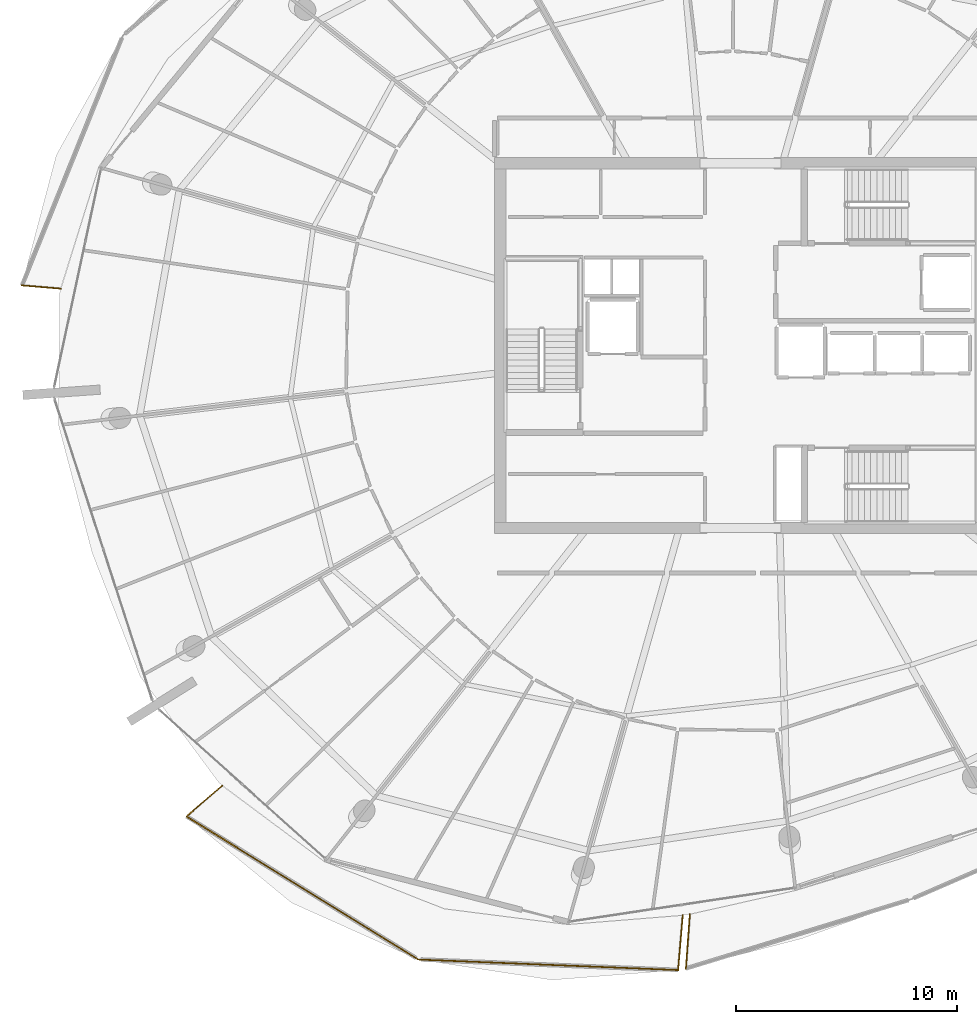
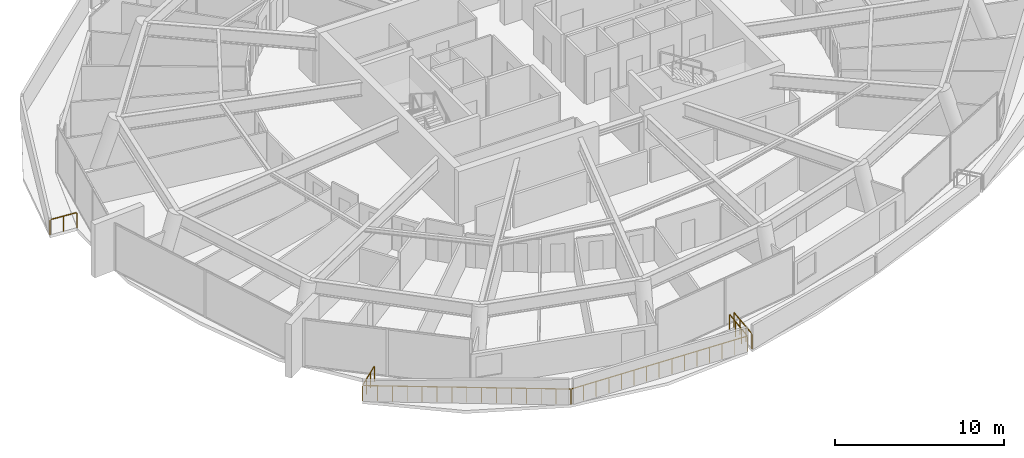
# One storey, part 24 of 30: 6 railings.
"""IFC4 building model written with IfcOpenShell, lengths in metres."""

import ifcopenshell
import ifcopenshell.guid

model = None  # the IFC model being written
_history = None  # IfcOwnerHistory: only IFC2X3 demands one
_inside = {}  # id of a spatial element -> (the spatial element, [elements in it])
_under = {}  # id of a project, library or spatial element -> (it, [spatial elements below it])
_declared = {}  # id of a project -> (the project, [libraries it declares])
_typed = {}  # id of a type object -> (the type object, [elements of that type])
_made_of = {}  # id of a material, layer set ... -> (it, [elements and type objects made of it])


def new_model(schema):
    """Start an empty IFC model of exactly this schema.

    Asked for "IFC4X3", IfcOpenShell would pick the latest addendum, in which some entities
    have other attributes; the version numbers below select the first issue.
    IFC2X3 requires an IfcOwnerHistory on every rooted entity: one is made here for all.
    """
    global model, _history
    if schema == "IFC4X3":
        model = ifcopenshell.file(schema_version=(4, 3, 0, 0))
    else:
        model = ifcopenshell.file(schema=schema)
    _inside.clear()
    _under.clear()
    _declared.clear()
    _typed.clear()
    _made_of.clear()
    _history = None
    if model.schema == "IFC2X3":
        org = make("IfcOrganization", Name="unknown")
        user = make(
            "IfcPersonAndOrganization",
            ThePerson=make("IfcPerson", FamilyName="unknown"),
            TheOrganization=org,
        )
        app = make(
            "IfcApplication",
            ApplicationDeveloper=org,
            Version="unknown",
            ApplicationFullName="unknown",
            ApplicationIdentifier="unknown",
        )
        _history = make(
            "IfcOwnerHistory",
            OwningUser=user,
            OwningApplication=app,
            ChangeAction="ADDED",
            CreationDate=0,
        )
    return model


def make(cls, **values):
    """One entity of the class cls with the attributes given. An attribute that is None is left unset."""
    return model.create_entity(
        cls, **{name: value for name, value in values.items() if value is not None}
    )


def rooted(cls, **values):
    """An entity with a GlobalId (a new one), such as an element, a storey or a relation."""
    return make(cls, GlobalId=ifcopenshell.guid.new(), OwnerHistory=_history, **values)


def si_unit(unit_type, name, prefix=None):
    """IfcSIUnit, for example si_unit("LENGTHUNIT", "METRE", prefix="MILLI")."""
    return make("IfcSIUnit", UnitType=unit_type, Prefix=prefix, Name=name)


def assignment(units):
    """IfcUnitAssignment: the units of a project."""
    return None if units is None else make("IfcUnitAssignment", Units=units)


def point(xyz):
    """IfcCartesianPoint."""
    return None if xyz is None else make("IfcCartesianPoint", Coordinates=xyz)


def direction(xyz):
    """IfcDirection."""
    return None if xyz is None else make("IfcDirection", DirectionRatios=xyz)


def frame(location, z_axis=None, x_axis=None):
    """IfcAxis2Placement3D, a coordinate frame: its origin and axes. An axis left out is left unset."""
    return make(
        "IfcAxis2Placement3D",
        Location=point(location),
        Axis=direction(z_axis),
        RefDirection=direction(x_axis),
    )


def frame_2d(location, x_axis=None):
    """IfcAxis2Placement2D, a coordinate frame in the plane: its origin and x axis."""
    return make(
        "IfcAxis2Placement2D", Location=point(location), RefDirection=direction(x_axis)
    )


def origin():
    """The frame at (0, 0, 0) with its axes left unset."""
    return frame((0.0, 0.0, 0.0))


def origin_2d():
    """The frame at (0, 0) in the plane with its x axis left unset."""
    return frame_2d((0.0, 0.0))


def place(relative_to, where):
    """IfcLocalPlacement: puts the frame where relative to a parent placement (None: the world)."""
    return make(
        "IfcLocalPlacement", PlacementRelTo=relative_to, RelativePlacement=where
    )


def context(
    kind, dimensions, precision=None, world=None, true_north=None, identifier=None
):
    """IfcGeometricRepresentationContext, for example the 3D "Model" context."""
    return make(
        "IfcGeometricRepresentationContext",
        ContextIdentifier=identifier,
        ContextType=kind,
        CoordinateSpaceDimension=dimensions,
        Precision=precision,
        WorldCoordinateSystem=world,
        TrueNorth=true_north,
    )


def subcontext(parent, identifier, kind, view, scale=None):
    """IfcGeometricRepresentationSubContext, for example "Body" below "Model"."""
    return make(
        "IfcGeometricRepresentationSubContext",
        ContextIdentifier=identifier,
        ContextType=kind,
        ParentContext=parent,
        TargetScale=scale,
        TargetView=view,
    )


def project(units=None, contexts=None):
    """IfcProject with its units and contexts."""
    return rooted(
        "IfcProject",
        Name="project",
        RepresentationContexts=contexts,
        UnitsInContext=assignment(units),
    )


def spatial(cls, under=None, at=None, **own):
    """A site, building, storey or space (cls), placed at a placement, below another one or the project."""
    s = rooted(cls, ObjectPlacement=at, **own)
    if under is not None:
        _under.setdefault(under.id(), (under, []))[1].append(s)
    return s


def profile(cls, at=None, kind="AREA", **sizes):
    """A parametric profile (cls). Its sizes go by their IFC names, for example OverallWidth=200.0."""
    return make(cls, ProfileType=kind, Position=at, **sizes)


def rectangle(**sizes):
    """IfcRectangleProfileDef."""
    return profile("IfcRectangleProfileDef", **sizes)


def extrude(swept, where, along, depth):
    """IfcExtrudedAreaSolid: the profile swept, set in the frame where, extruded along a direction by depth."""
    return make(
        "IfcExtrudedAreaSolid",
        SweptArea=swept,
        Position=where,
        ExtrudedDirection=direction(along),
        Depth=depth,
    )


def shape(context_of_items, identifier, shape_type, items):
    """IfcShapeRepresentation: the items that make up one representation, for example the "Body"."""
    return make(
        "IfcShapeRepresentation",
        ContextOfItems=context_of_items,
        RepresentationIdentifier=identifier,
        RepresentationType=shape_type,
        Items=items,
    )


def material(Name=None, Category=None):
    """IfcMaterial."""
    return make("IfcMaterial", Name=Name, Category=Category)


def made_of(thing, what):
    """Note that an element or type object is made of a material, layer set ...; save() writes the relation."""
    if what is not None:
        _made_of.setdefault(what.id(), (what, []))[1].append(thing)
    return thing


def type_object(cls, material=None, **own):
    """A type object (cls), such as IfcWallType, which elements share."""
    return made_of(rooted(cls, **own), material)


def element(
    cls,
    number,
    at=None,
    inside=None,
    cuts=None,
    type_object=None,
    material=None,
    context=None,
    identifier="Body",
    shape_type=None,
    held_by="IfcProductDefinitionShape",
    body=None,
    shapes=None,
    **own,
):
    """One element of the class cls, such as IfcWall. Its Tag is "e" and its number.

    at: its placement. inside: the storey or other place that contains it. cuts: it is an
    opening in that element (IfcRelVoidsElement). A single representation is given by context,
    identifier, shape_type and body (its items); several are given by shapes. held_by: the class
    of the entity that holds the representations. save() writes the other relations.
    """
    e = rooted(cls, Tag="e%d" % number, ObjectPlacement=at, **own)
    if body is not None:
        shapes = [shape(context, identifier, shape_type, body)]
    if shapes is not None:
        e.Representation = make(held_by, Representations=shapes)
    if inside is not None:
        _inside.setdefault(inside.id(), (inside, []))[1].append(e)
    if cuts is not None:
        rooted(
            "IfcRelVoidsElement", RelatingBuildingElement=cuts, RelatedOpeningElement=e
        )
    if type_object is not None:
        _typed.setdefault(type_object.id(), (type_object, []))[1].append(e)
    return made_of(e, material)


def aggregate(whole, parts):
    """IfcRelAggregates: a whole, such as a stair, and the parts it consists of."""
    return rooted("IfcRelAggregates", RelatingObject=whole, RelatedObjects=parts)


def save(model, path):
    """Write the relations noted so far, then the file.

    IfcRelAggregates (storeys below a building ...), IfcRelContainedInSpatialStructure (elements
    in a storey), IfcRelDefinesByType, IfcRelAssociatesMaterial and IfcRelDeclares: one each for
    every whole, place, type object, material and project.
    """
    for whole, parts in _under.values():
        aggregate(whole, parts)
    for where, things in _inside.values():
        rooted(
            "IfcRelContainedInSpatialStructure",
            RelatedElements=things,
            RelatingStructure=where,
        )
    for kind, things in _typed.values():
        rooted("IfcRelDefinesByType", RelatedObjects=things, RelatingType=kind)
    for what, things in _made_of.values():
        rooted("IfcRelAssociatesMaterial", RelatedObjects=things, RelatingMaterial=what)
    for by, libraries in _declared.values():
        rooted("IfcRelDeclares", RelatingContext=by, RelatedDefinitions=libraries)
    model.write(path)


model = new_model("IFC4")

# Units and contexts
model_context = context("Model", 3, precision=1e-05, world=origin(), true_north=direction((0.0, 1.0)))
body_context = subcontext(model_context, "Body", "Model", "MODEL_VIEW")
ifc_project = project(units=[si_unit("LENGTHUNIT", "METRE"), si_unit("AREAUNIT", "SQUARE_METRE"), si_unit("VOLUMEUNIT", "CUBIC_METRE"), si_unit("PLANEANGLEUNIT", "RADIAN"), si_unit("MASSUNIT", "GRAM", prefix="KILO")], contexts=[model_context])

# Site, building, storey
site_placement = place(None, origin())
site = spatial("IfcSite", under=ifc_project, at=site_placement, CompositionType="ELEMENT")
building_placement = place(site_placement, origin())
building = spatial("IfcBuilding", under=site, at=building_placement, Name="Kazma Halo Residences", CompositionType="ELEMENT")
storey_placement = place(building_placement, frame((0.0, 0.0, 302.14990234375)))
storey = spatial("IfcBuildingStorey", under=building, at=storey_placement, Name="L76", CompositionType="ELEMENT", Elevation=302.14990234375)

# Railings
ifc_material = material(Name="Aluminium AW-6063 T6 Brushed Cap Rail", Category="aluminium")
railing_type = type_object("IfcRailingType", Name="RLG-BAL-CAP-1120", PredefinedType="BALUSTRADE", material=ifc_material)
railing_1_placement = place(storey_placement, frame((15.89599609375, 44.72412109375, 0.0)))
element("IfcRailing", 1, at=railing_1_placement, inside=storey, type_object=railing_type, Name="L76 NW wave balcony guard 4", PredefinedType="BALUSTRADE", context=body_context, shape_type="SweptSolid", body=[
    extrude(rectangle(XDim=0.050048828125, YDim=0.050048828125, at=origin_2d()), frame((0.04248046875, -0.003662109375, 1.09521484375), z_axis=(0.996414445327, -0.084606460419, 0.0), x_axis=(0.084606460419, 0.996414445327, 0.0)), (0.0, 0.0, 1.0), 1.675048828125),
    extrude(rectangle(XDim=0.0400390625, YDim=0.0400390625, at=origin_2d()), origin(), (0.0, 0.0, 1.0), 1.05810546875),
    extrude(rectangle(XDim=0.0400390625, YDim=0.0400390625, at=origin_2d()), frame((0.876953125, -0.074462890625, 0.0)), (0.0, 0.0, 1.0), 1.05810546875),
    extrude(rectangle(XDim=0.0400390625, YDim=0.0400390625, at=origin_2d()), frame((1.75390625, -0.14892578125, 0.0)), (0.0, 0.0, 1.0), 1.05810546875),
])
railing_2_placement = place(storey_placement, frame((24.9599609375, 22.0771484375, 0.0)))
element("IfcRailing", 2, at=railing_2_placement, inside=storey, type_object=railing_type, Name="L76 SW wave balcony guard 1", PredefinedType="BALUSTRADE", context=body_context, shape_type="SweptSolid", body=[
    extrude(rectangle(XDim=0.050048828125, YDim=0.050048828125, at=origin_2d()), frame((-0.0322265625, -0.02783203125, 1.09521484375), z_axis=(-0.756418334569, -0.654088146299, 0.0), x_axis=(0.654088146299, -0.756418334569, 0.0)), (0.0, 0.0, 1.0), 2.04541015625),
    extrude(rectangle(XDim=0.0400390625, YDim=0.0400390625, at=origin_2d()), origin(), (0.0, 0.0, 1.0), 1.05810546875),
    extrude(rectangle(XDim=0.0400390625, YDim=0.0400390625, at=origin_2d()), frame((-0.537109375, -0.464599609375, 0.0)), (0.0, 0.0, 1.0), 1.05810546875),
    extrude(rectangle(XDim=0.0400390625, YDim=0.0400390625, at=origin_2d()), frame((-1.074462890625, -0.928955078125, 0.0)), (0.0, 0.0, 1.0), 1.05810546875),
    extrude(rectangle(XDim=0.0400390625, YDim=0.0400390625, at=origin_2d()), frame((-1.611572265625, -1.3935546875, 0.0)), (0.0, 0.0, 1.0), 1.05810546875),
])
railing_3_placement = place(storey_placement, frame((23.348388671875, 20.68359375, 0.0)))
element("IfcRailing", 3, at=railing_3_placement, inside=storey, type_object=railing_type, Name="L76 SW wave balcony guard 2", PredefinedType="BALUSTRADE", context=body_context, shape_type="SweptSolid", body=[
    extrude(rectangle(XDim=0.050048828125, YDim=0.050048828125, at=origin_2d()), frame((0.0361328125, -0.0224609375, 1.09521484375), z_axis=(0.85090135907, -0.525325496367, 0.0), x_axis=(0.525325496367, 0.85090135907, 0.0)), (0.0, 0.0, 1.0), 12.24365234375),
    extrude(rectangle(XDim=0.0400390625, YDim=0.0400390625, at=origin_2d()), origin(), (0.0, 0.0, 1.0), 1.05810546875),
    extrude(rectangle(XDim=0.0400390625, YDim=0.0400390625, at=origin_2d()), frame((0.749267578125, -0.462646484375, 0.0)), (0.0, 0.0, 1.0), 1.05810546875),
    extrude(rectangle(XDim=0.0400390625, YDim=0.0400390625, at=origin_2d()), frame((1.49853515625, -0.92529296875, 0.0)), (0.0, 0.0, 1.0), 1.05810546875),
    extrude(rectangle(XDim=0.0400390625, YDim=0.0400390625, at=origin_2d()), frame((2.248046875, -1.387939453125, 0.0)), (0.0, 0.0, 1.0), 1.05810546875),
    extrude(rectangle(XDim=0.0400390625, YDim=0.0400390625, at=origin_2d()), frame((2.997314453125, -1.850341796875, 0.0)), (0.0, 0.0, 1.0), 1.05810546875),
    extrude(rectangle(XDim=0.0400390625, YDim=0.0400390625, at=origin_2d()), frame((3.74658203125, -2.31298828125, 0.0)), (0.0, 0.0, 1.0), 1.05810546875),
    extrude(rectangle(XDim=0.0400390625, YDim=0.0400390625, at=origin_2d()), frame((4.495849609375, -2.775634765625, 0.0)), (0.0, 0.0, 1.0), 1.05810546875),
    extrude(rectangle(XDim=0.0400390625, YDim=0.0400390625, at=origin_2d()), frame((5.2451171875, -3.23828125, 0.0)), (0.0, 0.0, 1.0), 1.05810546875),
    extrude(rectangle(XDim=0.0400390625, YDim=0.0400390625, at=origin_2d()), frame((5.99462890625, -3.700927734375, 0.0)), (0.0, 0.0, 1.0), 1.05810546875),
    extrude(rectangle(XDim=0.0400390625, YDim=0.0400390625, at=origin_2d()), frame((6.743896484375, -4.16357421875, 0.0)), (0.0, 0.0, 1.0), 1.05810546875),
    extrude(rectangle(XDim=0.0400390625, YDim=0.0400390625, at=origin_2d()), frame((7.4931640625, -4.626220703125, 0.0)), (0.0, 0.0, 1.0), 1.05810546875),
    extrude(rectangle(XDim=0.0400390625, YDim=0.0400390625, at=origin_2d()), frame((8.242431640625, -5.088623046875, 0.0)), (0.0, 0.0, 1.0), 1.05810546875),
    extrude(rectangle(XDim=0.0400390625, YDim=0.0400390625, at=origin_2d()), frame((8.991943359375, -5.55126953125, 0.0)), (0.0, 0.0, 1.0), 1.05810546875),
    extrude(rectangle(XDim=0.0400390625, YDim=0.0400390625, at=origin_2d()), frame((9.7412109375, -6.013916015625, 0.0)), (0.0, 0.0, 1.0), 1.05810546875),
    extrude(rectangle(XDim=0.0400390625, YDim=0.0400390625, at=origin_2d()), frame((10.490478515625, -6.4765625, 0.0)), (0.0, 0.0, 1.0), 1.05810546875),
])
railing_4_placement = place(storey_placement, frame((33.8388671875, 14.20703125, 0.0)))
element("IfcRailing", 4, at=railing_4_placement, inside=storey, type_object=railing_type, Name="L76 SW wave balcony guard 3", PredefinedType="BALUSTRADE", context=body_context, shape_type="SweptSolid", body=[
    extrude(rectangle(XDim=0.050048828125, YDim=0.050048828125, at=origin_2d()), frame((0.04248046875, -0.001708984375, 1.09521484375), z_axis=(0.999178574478, -0.04052377456, 0.0), x_axis=(0.04052377456, 0.999178574478, 0.0)), (0.0, 0.0, 1.0), 11.68701171875),
    extrude(rectangle(XDim=0.0400390625, YDim=0.0400390625, at=origin_2d()), origin(), (0.0, 0.0, 1.0), 1.05810546875),
    extrude(rectangle(XDim=0.0400390625, YDim=0.0400390625, at=origin_2d()), frame((0.840087890625, -0.0341796875, 0.0)), (0.0, 0.0, 1.0), 1.05810546875),
    extrude(rectangle(XDim=0.0400390625, YDim=0.0400390625, at=origin_2d()), frame((1.680419921875, -0.068115234375, 0.0)), (0.0, 0.0, 1.0), 1.05810546875),
    extrude(rectangle(XDim=0.0400390625, YDim=0.0400390625, at=origin_2d()), frame((2.5205078125, -0.102294921875, 0.0)), (0.0, 0.0, 1.0), 1.05810546875),
    extrude(rectangle(XDim=0.0400390625, YDim=0.0400390625, at=origin_2d()), frame((3.360595703125, -0.13623046875, 0.0)), (0.0, 0.0, 1.0), 1.05810546875),
    extrude(rectangle(XDim=0.0400390625, YDim=0.0400390625, at=origin_2d()), frame((4.200927734375, -0.17041015625, 0.0)), (0.0, 0.0, 1.0), 1.05810546875),
    extrude(rectangle(XDim=0.0400390625, YDim=0.0400390625, at=origin_2d()), frame((5.041015625, -0.204345703125, 0.0)), (0.0, 0.0, 1.0), 1.05810546875),
    extrude(rectangle(XDim=0.0400390625, YDim=0.0400390625, at=origin_2d()), frame((5.88134765625, -0.238525390625, 0.0)), (0.0, 0.0, 1.0), 1.05810546875),
    extrude(rectangle(XDim=0.0400390625, YDim=0.0400390625, at=origin_2d()), frame((6.721435546875, -0.272705078125, 0.0)), (0.0, 0.0, 1.0), 1.05810546875),
    extrude(rectangle(XDim=0.0400390625, YDim=0.0400390625, at=origin_2d()), frame((7.5615234375, -0.306640625, 0.0)), (0.0, 0.0, 1.0), 1.05810546875),
    extrude(rectangle(XDim=0.0400390625, YDim=0.0400390625, at=origin_2d()), frame((8.40185546875, -0.3408203125, 0.0)), (0.0, 0.0, 1.0), 1.05810546875),
    extrude(rectangle(XDim=0.0400390625, YDim=0.0400390625, at=origin_2d()), frame((9.241943359375, -0.374755859375, 0.0)), (0.0, 0.0, 1.0), 1.05810546875),
    extrude(rectangle(XDim=0.0400390625, YDim=0.0400390625, at=origin_2d()), frame((10.08203125, -0.408935546875, 0.0)), (0.0, 0.0, 1.0), 1.05810546875),
    extrude(rectangle(XDim=0.0400390625, YDim=0.0400390625, at=origin_2d()), frame((10.92236328125, -0.44287109375, 0.0)), (0.0, 0.0, 1.0), 1.05810546875),
    extrude(rectangle(XDim=0.0400390625, YDim=0.0400390625, at=origin_2d()), frame((11.762451171875, -0.47705078125, 0.0)), (0.0, 0.0, 1.0), 1.05810546875),
])
railing_5_placement = place(storey_placement, frame((45.601318359375, 13.72998046875, 0.0)))
element("IfcRailing", 5, at=railing_5_placement, inside=storey, type_object=railing_type, Name="L76 SW wave balcony guard 4", PredefinedType="BALUSTRADE", context=body_context, shape_type="SweptSolid", body=[
    extrude(rectangle(XDim=0.050048828125, YDim=0.050048828125, at=origin_2d()), frame((0.003662109375, 0.04248046875, 1.09521484375), z_axis=(0.084500948915, 0.996423398778, 0.0), x_axis=(-0.996423398778, 0.084500948915, 0.0)), (0.0, 0.0, 1.0), 2.399658203125),
    extrude(rectangle(XDim=0.0400390625, YDim=0.0400390625, at=origin_2d()), origin(), (0.0, 0.0, 1.0), 1.05810546875),
    extrude(rectangle(XDim=0.0400390625, YDim=0.0400390625, at=origin_2d()), frame((0.070068359375, 0.8251953125, 0.0)), (0.0, 0.0, 1.0), 1.05810546875),
    extrude(rectangle(XDim=0.0400390625, YDim=0.0400390625, at=origin_2d()), frame((0.139892578125, 1.650634765625, 0.0)), (0.0, 0.0, 1.0), 1.05810546875),
    extrude(rectangle(XDim=0.0400390625, YDim=0.0400390625, at=origin_2d()), frame((0.2099609375, 2.475830078125, 0.0)), (0.0, 0.0, 1.0), 1.05810546875),
])
railing_6_placement = place(storey_placement, frame((46.1318359375, 16.25390625, 0.0)))
element("IfcRailing", 6, at=railing_6_placement, inside=storey, type_object=railing_type, Name="L76 SSE wave balcony guard 1", PredefinedType="BALUSTRADE", context=body_context, shape_type="SweptSolid", body=[
    extrude(rectangle(XDim=0.050048828125, YDim=0.050048828125, at=origin_2d()), frame((-0.003173828125, -0.04248046875, 1.09521484375), z_axis=(-0.072365602414, -0.997378172805, 0.0), x_axis=(0.997378172805, -0.072365602414, 0.0)), (0.0, 0.0, 1.0), 2.381103515625),
    extrude(rectangle(XDim=0.0400390625, YDim=0.0400390625, at=origin_2d()), origin(), (0.0, 0.0, 1.0), 1.05810546875),
    extrude(rectangle(XDim=0.0400390625, YDim=0.0400390625, at=origin_2d()), frame((-0.0595703125, -0.81982421875, 0.0)), (0.0, 0.0, 1.0), 1.05810546875),
    extrude(rectangle(XDim=0.0400390625, YDim=0.0400390625, at=origin_2d()), frame((-0.118896484375, -1.639892578125, 0.0)), (0.0, 0.0, 1.0), 1.05810546875),
    extrude(rectangle(XDim=0.0400390625, YDim=0.0400390625, at=origin_2d()), frame((-0.178466796875, -2.459716796875, 0.0)), (0.0, 0.0, 1.0), 1.05810546875),
])

save(model, "model.ifc")
